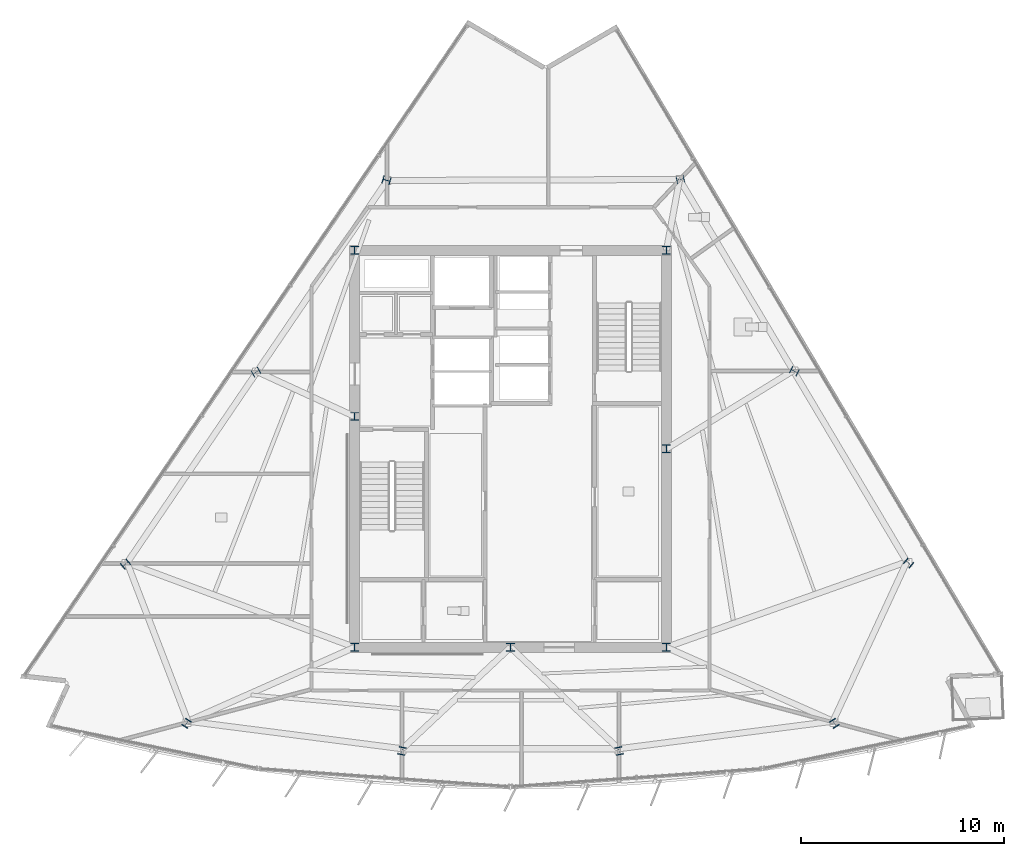
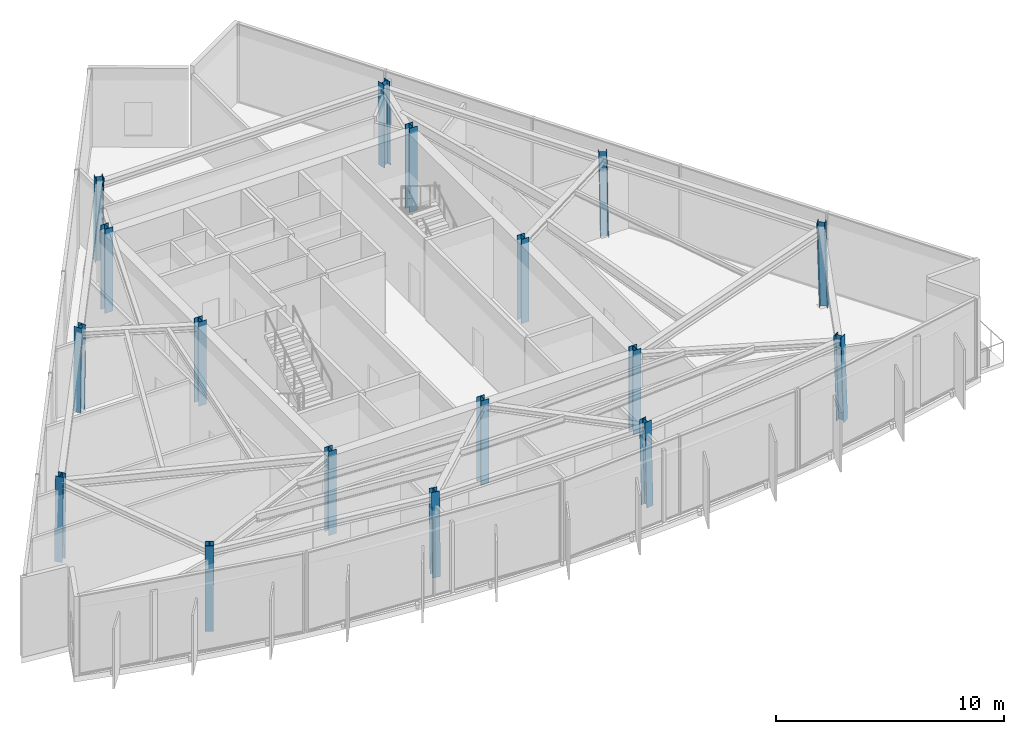
# One storey, part 1 of 12: 17 columns.
"""IFC4 building model written with IfcOpenShell, lengths in metres."""

from ifc_helpers import new_model, si_unit, direction, frame, origin, origin_2d, place, context, subcontext, project, spatial, i_section, extrude, material, material_profile, profile_set, type_object, element, save


model = new_model("IFC4")

# Units and contexts
model_context = context("Model", 3, precision=1e-05, world=origin(), true_north=direction((0.0, 1.0)))
body_context = subcontext(model_context, "Body", "Model", "MODEL_VIEW")
ifc_project = project(units=[si_unit("LENGTHUNIT", "METRE"), si_unit("AREAUNIT", "SQUARE_METRE"), si_unit("VOLUMEUNIT", "CUBIC_METRE"), si_unit("PLANEANGLEUNIT", "RADIAN"), si_unit("MASSUNIT", "GRAM", prefix="KILO")], contexts=[model_context])

# Site, building, storey
site_placement = place(None, origin())
site = spatial("IfcSite", under=ifc_project, at=site_placement, CompositionType="ELEMENT")
building_placement = place(site_placement, origin())
building = spatial("IfcBuilding", under=site, at=building_placement, Name="Savorim Split Tower", CompositionType="ELEMENT")
storey_placement = place(building_placement, frame((0.0, 0.0, 246.300048828125)))
storey = spatial("IfcBuildingStorey", under=building, at=storey_placement, Name="L65", CompositionType="ELEMENT", Elevation=246.300048828125)

# Columns
ifc_material = material(Name="Steel S355", Category="steel")
ifc_material_profile_1 = material_profile(ifc_material, i_section(OverallWidth=0.3740234375, OverallDepth=0.3720703125, WebThickness=0.01220703125, FlangeThickness=0.02001953125, FilletRadius=0.014892578125, at=origin_2d()), Name="HD 360x196")
ifc_profile_set_1 = profile_set([ifc_material_profile_1], Name="Steel S355")
column_type_1 = type_object("IfcColumnType", Name="COL-HD-196", PredefinedType="COLUMN", material=ifc_profile_set_1)
column_1_placement = place(storey_placement, frame((-16.001708984375, -13.169189453125, 0.00537109375), z_axis=(0.016525223725, 0.026799129265, 0.999504238936), x_axis=(-0.851183725565, 0.524867855115, 0.0)))
element("IfcColumn", 1, at=column_1_placement, inside=storey, type_object=column_type_1, Name="L65 Tapered Perimeter Column PC-S1", PredefinedType="COLUMN", context=body_context, shape_type="SweptSolid", body=[
    extrude(i_section(OverallWidth=0.3740234375, OverallDepth=0.3720703125, WebThickness=0.01220703125, FlangeThickness=0.02001953125, FilletRadius=0.014892578125, at=origin_2d()), origin(), (0.0, 0.0, 1.0), 4.4912109375),
])
for number, where, z_axis, x_axis, name in (
    (2, (-5.363037109375, -14.534912109375, 0.00537109375), (0.005545112284, 0.028160472186, 0.99958803491), (-0.981159154887, 0.193201223549, 0.0), "L65 Tapered Perimeter Column PC-S2"),
    (3, (5.363037109375, -14.534912109375, 0.00537109375), (-0.005545112284, 0.028160472186, 0.99958803491), (-0.981159154887, -0.193201223549, 0.0), "L65 Tapered Perimeter Column PC-S3"),
):
    element("IfcColumn", number, at=place(storey_placement, frame(where, z_axis=z_axis, x_axis=x_axis)), inside=storey, type_object=column_type_1, Name=name, PredefinedType="COLUMN", context=body_context, shape_type="SweptSolid", body=[
        extrude(i_section(OverallWidth=0.3740234375, OverallDepth=0.3720703125, WebThickness=0.01220703125, FlangeThickness=0.02001953125, FilletRadius=0.014892578125, at=origin_2d()), origin(), (0.0, 0.0, 1.0), 4.490966796875),
    ])
column_2_placement = place(storey_placement, frame((16.001708984375, -13.169189453125, 0.00537109375), z_axis=(-0.016525223725, 0.026799129265, 0.999504238936), x_axis=(-0.851183725565, -0.524867855115, 0.0)))
element("IfcColumn", 4, at=column_2_placement, inside=storey, type_object=column_type_1, Name="L65 Tapered Perimeter Column PC-S4", PredefinedType="COLUMN", context=body_context, shape_type="SweptSolid", body=[
    extrude(i_section(OverallWidth=0.3740234375, OverallDepth=0.3720703125, WebThickness=0.01220703125, FlangeThickness=0.02001953125, FilletRadius=0.014892578125, at=origin_2d()), origin(), (0.0, 0.0, 1.0), 4.4912109375),
])
column_3_placement = place(storey_placement, frame((19.66650390625, -5.251220703125, 0.00537109375), z_axis=(-0.020876646911, 0.017288473223, 0.999632569651), x_axis=(-0.637813971185, -0.770190455771, 0.0)))
element("IfcColumn", 5, at=column_3_placement, inside=storey, type_object=column_type_1, Name="L65 Tapered Perimeter Column PC-E1", PredefinedType="COLUMN", context=body_context, shape_type="SweptSolid", body=[
    extrude(i_section(OverallWidth=0.3740234375, OverallDepth=0.3720703125, WebThickness=0.01220703125, FlangeThickness=0.02001953125, FilletRadius=0.014892578125, at=origin_2d()), origin(), (0.0, 0.0, 1.0), 4.49072265625),
])
column_4_placement = place(storey_placement, frame((14.029052734375, 4.2294921875, 0.00537109375), z_axis=(-0.015117211909, 0.007612984415, 0.999856745925), x_axis=(-0.449781931574, -0.893138406984, 0.0)))
element("IfcColumn", 6, at=column_4_placement, inside=storey, type_object=column_type_1, Name="L65 Tapered Perimeter Column PC-E2", PredefinedType="COLUMN", context=body_context, shape_type="SweptSolid", body=[
    extrude(i_section(OverallWidth=0.3740234375, OverallDepth=0.3720703125, WebThickness=0.01220703125, FlangeThickness=0.02001953125, FilletRadius=0.014892578125, at=origin_2d()), origin(), (0.0, 0.0, 1.0), 4.48974609375),
])
column_5_placement = place(storey_placement, frame((8.3916015625, 13.7099609375, 0.00537109375), z_axis=(-0.009354007007, -0.002012199182, 0.999954225756), x_axis=(0.210305364179, -0.977635746993, 0.0)))
element("IfcColumn", 7, at=column_5_placement, inside=storey, type_object=column_type_1, Name="L65 Tapered Perimeter Column PC-E3", PredefinedType="COLUMN", context=body_context, shape_type="SweptSolid", body=[
    extrude(i_section(OverallWidth=0.3740234375, OverallDepth=0.3720703125, WebThickness=0.01220703125, FlangeThickness=0.02001953125, FilletRadius=0.014892578125, at=origin_2d()), origin(), (0.0, 0.0, 1.0), 4.4892578125),
])
column_6_placement = place(storey_placement, frame((-6.1220703125, 13.6611328125, 0.00537109375), z_axis=(0.007070021631, -0.002012236926, 0.999972982483), x_axis=(0.273743828055, 0.961802639112, 0.0)))
element("IfcColumn", 8, at=column_6_placement, inside=storey, type_object=column_type_1, Name="L65 Tapered Perimeter Column PC-W1", PredefinedType="COLUMN", context=body_context, shape_type="SweptSolid", body=[
    extrude(i_section(OverallWidth=0.3740234375, OverallDepth=0.3720703125, WebThickness=0.01220703125, FlangeThickness=0.02001953125, FilletRadius=0.014892578125, at=origin_2d()), origin(), (0.0, 0.0, 1.0), 4.489013671875),
])
column_7_placement = place(storey_placement, frame((-12.5712890625, 4.1806640625, 0.00537109375), z_axis=(0.01359491219, 0.007613150827, 0.99987860178), x_axis=(-0.488603368932, 0.87250601595, 0.0)))
element("IfcColumn", 9, at=column_7_placement, inside=storey, type_object=column_type_1, Name="L65 Tapered Perimeter Column PC-W2", PredefinedType="COLUMN", context=body_context, shape_type="SweptSolid", body=[
    extrude(i_section(OverallWidth=0.3740234375, OverallDepth=0.3720703125, WebThickness=0.01220703125, FlangeThickness=0.02001953125, FilletRadius=0.014892578125, at=origin_2d()), origin(), (0.0, 0.0, 1.0), 4.489501953125),
])
column_8_placement = place(storey_placement, frame((-19.020751953125, -5.2998046875, 0.00537109375), z_axis=(0.020170196927, 0.017234373116, 0.99964800782), x_axis=(-0.649609258817, 0.760268249278, 0.0)))
element("IfcColumn", 10, at=column_8_placement, inside=storey, type_object=column_type_1, Name="L65 Tapered Perimeter Column PC-W3", PredefinedType="COLUMN", context=body_context, shape_type="SweptSolid", body=[
    extrude(i_section(OverallWidth=0.3740234375, OverallDepth=0.3720703125, WebThickness=0.01220703125, FlangeThickness=0.02001953125, FilletRadius=0.014892578125, at=origin_2d()), origin(), (0.0, 0.0, 1.0), 4.490478515625),
])
ifc_material_profile_2 = material_profile(ifc_material, i_section(OverallWidth=0.39794921875, OverallDepth=0.386962890625, WebThickness=0.013427734375, FlangeThickness=0.02197265625, FilletRadius=0.014892578125, at=origin_2d()), Name="HD 400x262")
ifc_profile_set_2 = profile_set([ifc_material_profile_2], Name="Steel S355")
column_type_2 = type_object("IfcColumnType", Name="COL-HD-262", PredefinedType="COLUMN", material=ifc_profile_set_2)
for number, where, z_axis, x_axis, name in (
    (11, (-7.699951171875, -9.39990234375, 0.0), (0.0, 0.0, 1.0), (1.0, 0.0, 0.0), "L65 Core Structural Column TC-C1"),
    (12, (7.699951171875, -9.39990234375, 0.0), (0.0, 0.0, 1.0), (1.0, 0.0, 0.0), "L65 Core Structural Column TC-C2"),
    (13, (7.699951171875, 10.199951171875, 0.0), (0.0, 0.0, 1.0), (1.0, 0.0, 0.0), "L65 Core Structural Column TC-C3"),
    (14, (-7.699951171875, 10.199951171875, 0.0), (0.0, 0.0, 1.0), (1.0, 0.0, 0.0), "L65 Core Structural Column TC-C4"),
    (15, (0.0, -9.39990234375, 0.0), (0.0, 0.0, 1.0), (1.0, 0.0, 0.0), "L65 Core Structural Column TC-C5"),
    (16, (7.699951171875, 0.39990234375, 0.0), (0.0, 0.0, 1.0), (1.0, 0.0, 0.0), "L65 Core Structural Column TC-C6"),
    (17, (-7.699951171875, 2.0, 0.0), (0.0, 0.0, 1.0), (1.0, 0.0, 0.0), "L65 Core Structural Column TC-C7"),
):
    element("IfcColumn", number, at=place(storey_placement, frame(where, z_axis=z_axis, x_axis=x_axis)), inside=storey, type_object=column_type_2, Name=name, PredefinedType="COLUMN", context=body_context, shape_type="SweptSolid", body=[
        extrude(i_section(OverallWidth=0.39794921875, OverallDepth=0.386962890625, WebThickness=0.013427734375, FlangeThickness=0.02197265625, FilletRadius=0.014892578125, at=origin_2d()), origin(), (0.0, 0.0, 1.0), 4.5),
    ])

save(model, "model.ifc")
